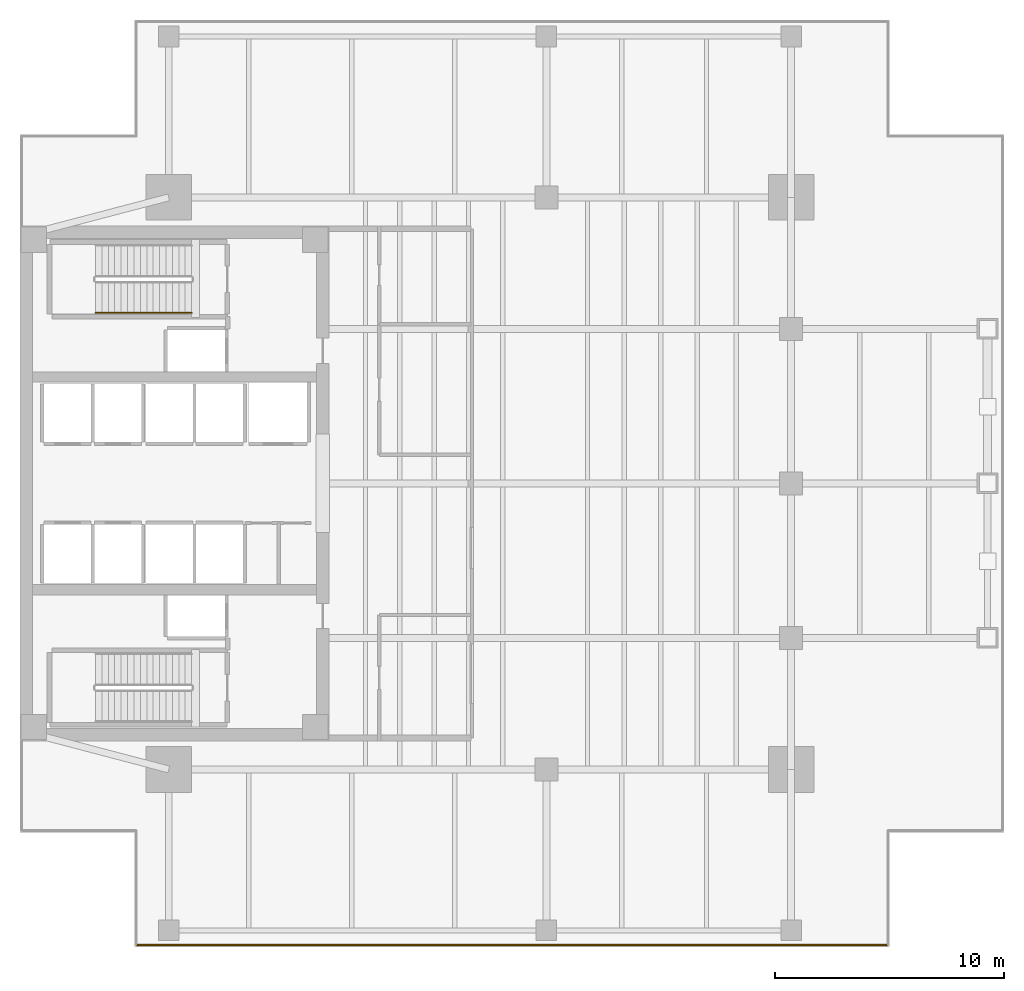
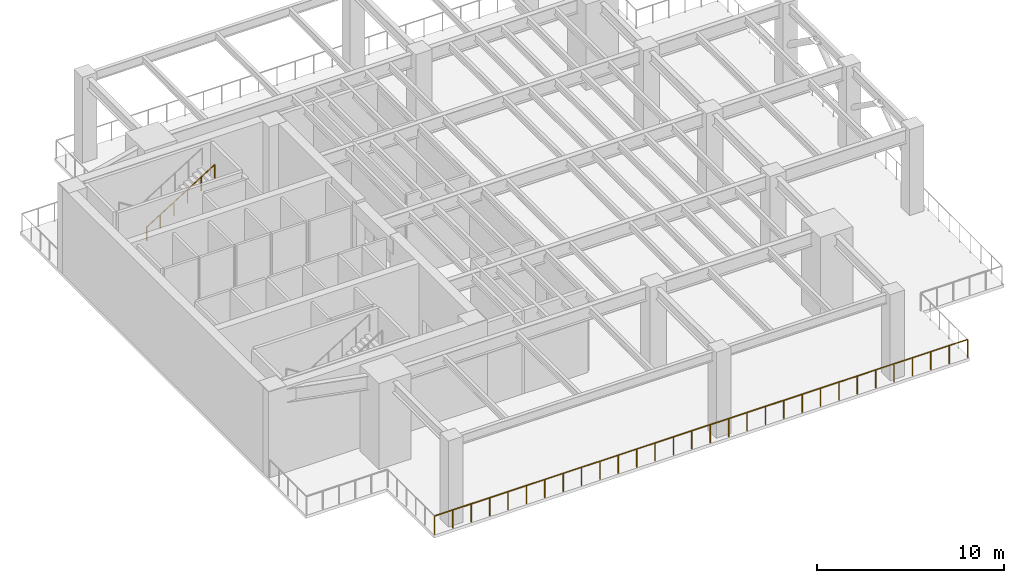
# One storey, part 6 of 8: 2 railings.
"""IFC4 building model written with IfcOpenShell, lengths in metres."""

from ifc_helpers import new_model, si_unit, direction, frame, origin, origin_2d, place, context, subcontext, project, spatial, circle, extrude, material, type_object, element, save


model = new_model("IFC4")

# Units and contexts
model_context = context("Model", 3, precision=1e-05, world=origin(), true_north=direction((0.0, 1.0)))
body_context = subcontext(model_context, "Body", "Model", "MODEL_VIEW")
ifc_project = project(units=[si_unit("LENGTHUNIT", "METRE"), si_unit("AREAUNIT", "SQUARE_METRE"), si_unit("VOLUMEUNIT", "CUBIC_METRE"), si_unit("PLANEANGLEUNIT", "RADIAN"), si_unit("MASSUNIT", "GRAM", prefix="KILO")], contexts=[model_context])

# Site, building, storey
site_placement = place(None, origin())
site = spatial("IfcSite", under=ifc_project, at=site_placement, CompositionType="ELEMENT")
building_placement = place(site_placement, origin())
building = spatial("IfcBuilding", under=site, at=building_placement, Name="Kinhvarn Gate Tower", CompositionType="ELEMENT")
storey_placement = place(building_placement, frame((0.0, 0.0, 178.050048828125)))
storey = spatial("IfcBuildingStorey", under=building, at=storey_placement, Name="L47", CompositionType="ELEMENT", Elevation=178.050048828125)

# Railings
ifc_material = material(Name="Steel S355", Category="steel")
railing_type_1 = type_object("IfcRailingType", Name="RL-ST-HND", PredefinedType="HANDRAIL", material=ifc_material)
railing_1_placement = place(storey_placement, frame((7.800048828125, 32.699951171875, 2.974853515625)))
element("IfcRailing", 1, at=railing_1_placement, inside=storey, type_object=railing_type_1, Name="L47 ST2 stair handrail 2", PredefinedType="HANDRAIL", context=body_context, shape_type="SweptSolid", body=[
    extrude(circle(Radius=0.02392578125, at=origin_2d()), frame((0.0, 0.0, 0.8759765625), z_axis=(0.847995534698, 0.0, 0.530003370869), x_axis=(0.0, 1.0, 0.0)), (0.0, 0.0, 1.0), 4.952880859375),
    extrude(circle(Radius=0.02099609375, at=origin_2d()), origin(), (0.0, 0.0, 1.0), 0.851806640625),
    extrude(circle(Radius=0.02099609375, at=origin_2d()), frame((0.840087890625, 0.0, 0.52490234375)), (0.0, 0.0, 1.0), 0.851806640625),
    extrude(circle(Radius=0.02099609375, at=origin_2d()), frame((1.679931640625, 0.0, 1.050048828125)), (0.0, 0.0, 1.0), 0.851806640625),
    extrude(circle(Radius=0.02099609375, at=origin_2d()), frame((2.52001953125, 0.0, 1.574951171875)), (0.0, 0.0, 1.0), 0.851806640625),
    extrude(circle(Radius=0.02099609375, at=origin_2d()), frame((3.35986328125, 0.0, 2.10009765625)), (0.0, 0.0, 1.0), 0.851806640625),
    extrude(circle(Radius=0.02099609375, at=origin_2d()), frame((4.199951171875, 0.0, 2.625)), (0.0, 0.0, 1.0), 0.851806640625),
])
railing_type_2 = type_object("IfcRailingType", Name="RL-WPT-1200", PredefinedType="BALUSTRADE", material=ifc_material)
railing_2_placement = place(storey_placement, frame((9.580078125, 5.080078125, 0.0)))
element("IfcRailing", 2, at=railing_2_placement, inside=storey, type_object=railing_type_2, Name="Wind Portal Open Aero-Deck Perimeter Balustrade Seg 4 (L47)", PredefinedType="BALUSTRADE", context=body_context, shape_type="SweptSolid", body=[
    extrude(circle(Radius=0.02392578125, at=origin_2d()), frame((0.0, 0.0, 1.17578125), z_axis=(1.0, 0.0, 0.0), x_axis=(0.0, 1.0, 0.0)), (0.0, 0.0, 1.0), 32.83984375),
    extrude(circle(Radius=0.02099609375, at=origin_2d()), origin(), (0.0, 0.0, 1.0), 1.15185546875),
    extrude(circle(Radius=0.02099609375, at=origin_2d()), frame((1.13232421875, 0.0, 0.0)), (0.0, 0.0, 1.0), 1.15185546875),
    extrude(circle(Radius=0.02099609375, at=origin_2d()), frame((2.264892578125, 0.0, 0.0)), (0.0, 0.0, 1.0), 1.15185546875),
    extrude(circle(Radius=0.02099609375, at=origin_2d()), frame((3.397216796875, 0.0, 0.0)), (0.0, 0.0, 1.0), 1.15185546875),
    extrude(circle(Radius=0.02099609375, at=origin_2d()), frame((4.529541015625, 0.0, 0.0)), (0.0, 0.0, 1.0), 1.15185546875),
    extrude(circle(Radius=0.02099609375, at=origin_2d()), frame((5.662109375, 0.0, 0.0)), (0.0, 0.0, 1.0), 1.15185546875),
    extrude(circle(Radius=0.02099609375, at=origin_2d()), frame((6.79443359375, 0.0, 0.0)), (0.0, 0.0, 1.0), 1.15185546875),
    extrude(circle(Radius=0.02099609375, at=origin_2d()), frame((7.9267578125, 0.0, 0.0)), (0.0, 0.0, 1.0), 1.15185546875),
    extrude(circle(Radius=0.02099609375, at=origin_2d()), frame((9.059326171875, 0.0, 0.0)), (0.0, 0.0, 1.0), 1.15185546875),
    extrude(circle(Radius=0.02099609375, at=origin_2d()), frame((10.191650390625, 0.0, 0.0)), (0.0, 0.0, 1.0), 1.15185546875),
    extrude(circle(Radius=0.02099609375, at=origin_2d()), frame((11.323974609375, 0.0, 0.0)), (0.0, 0.0, 1.0), 1.15185546875),
    extrude(circle(Radius=0.02099609375, at=origin_2d()), frame((12.45654296875, 0.0, 0.0)), (0.0, 0.0, 1.0), 1.15185546875),
    extrude(circle(Radius=0.02099609375, at=origin_2d()), frame((13.5888671875, 0.0, 0.0)), (0.0, 0.0, 1.0), 1.15185546875),
    extrude(circle(Radius=0.02099609375, at=origin_2d()), frame((14.72119140625, 0.0, 0.0)), (0.0, 0.0, 1.0), 1.15185546875),
    extrude(circle(Radius=0.02099609375, at=origin_2d()), frame((15.853759765625, 0.0, 0.0)), (0.0, 0.0, 1.0), 1.15185546875),
    extrude(circle(Radius=0.02099609375, at=origin_2d()), frame((16.986083984375, 0.0, 0.0)), (0.0, 0.0, 1.0), 1.15185546875),
    extrude(circle(Radius=0.02099609375, at=origin_2d()), frame((18.11865234375, 0.0, 0.0)), (0.0, 0.0, 1.0), 1.15185546875),
    extrude(circle(Radius=0.02099609375, at=origin_2d()), frame((19.2509765625, 0.0, 0.0)), (0.0, 0.0, 1.0), 1.15185546875),
    extrude(circle(Radius=0.02099609375, at=origin_2d()), frame((20.38330078125, 0.0, 0.0)), (0.0, 0.0, 1.0), 1.15185546875),
    extrude(circle(Radius=0.02099609375, at=origin_2d()), frame((21.515869140625, 0.0, 0.0)), (0.0, 0.0, 1.0), 1.15185546875),
    extrude(circle(Radius=0.02099609375, at=origin_2d()), frame((22.648193359375, 0.0, 0.0)), (0.0, 0.0, 1.0), 1.15185546875),
    extrude(circle(Radius=0.02099609375, at=origin_2d()), frame((23.780517578125, 0.0, 0.0)), (0.0, 0.0, 1.0), 1.15185546875),
    extrude(circle(Radius=0.02099609375, at=origin_2d()), frame((24.9130859375, 0.0, 0.0)), (0.0, 0.0, 1.0), 1.15185546875),
    extrude(circle(Radius=0.02099609375, at=origin_2d()), frame((26.04541015625, 0.0, 0.0)), (0.0, 0.0, 1.0), 1.15185546875),
    extrude(circle(Radius=0.02099609375, at=origin_2d()), frame((27.177734375, 0.0, 0.0)), (0.0, 0.0, 1.0), 1.15185546875),
    extrude(circle(Radius=0.02099609375, at=origin_2d()), frame((28.310302734375, 0.0, 0.0)), (0.0, 0.0, 1.0), 1.15185546875),
    extrude(circle(Radius=0.02099609375, at=origin_2d()), frame((29.442626953125, 0.0, 0.0)), (0.0, 0.0, 1.0), 1.15185546875),
    extrude(circle(Radius=0.02099609375, at=origin_2d()), frame((30.574951171875, 0.0, 0.0)), (0.0, 0.0, 1.0), 1.15185546875),
    extrude(circle(Radius=0.02099609375, at=origin_2d()), frame((31.70751953125, 0.0, 0.0)), (0.0, 0.0, 1.0), 1.15185546875),
    extrude(circle(Radius=0.02099609375, at=origin_2d()), frame((32.83984375, 0.0, 0.0)), (0.0, 0.0, 1.0), 1.15185546875),
])

save(model, "model.ifc")
